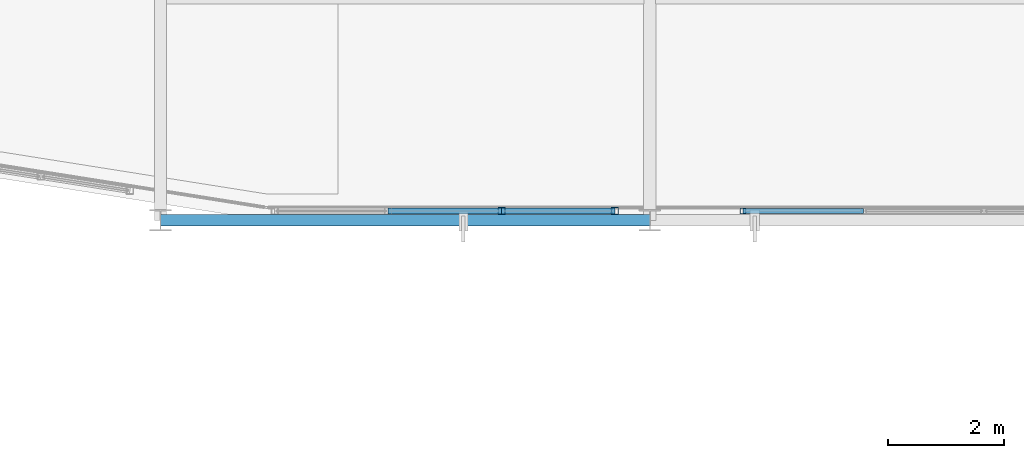
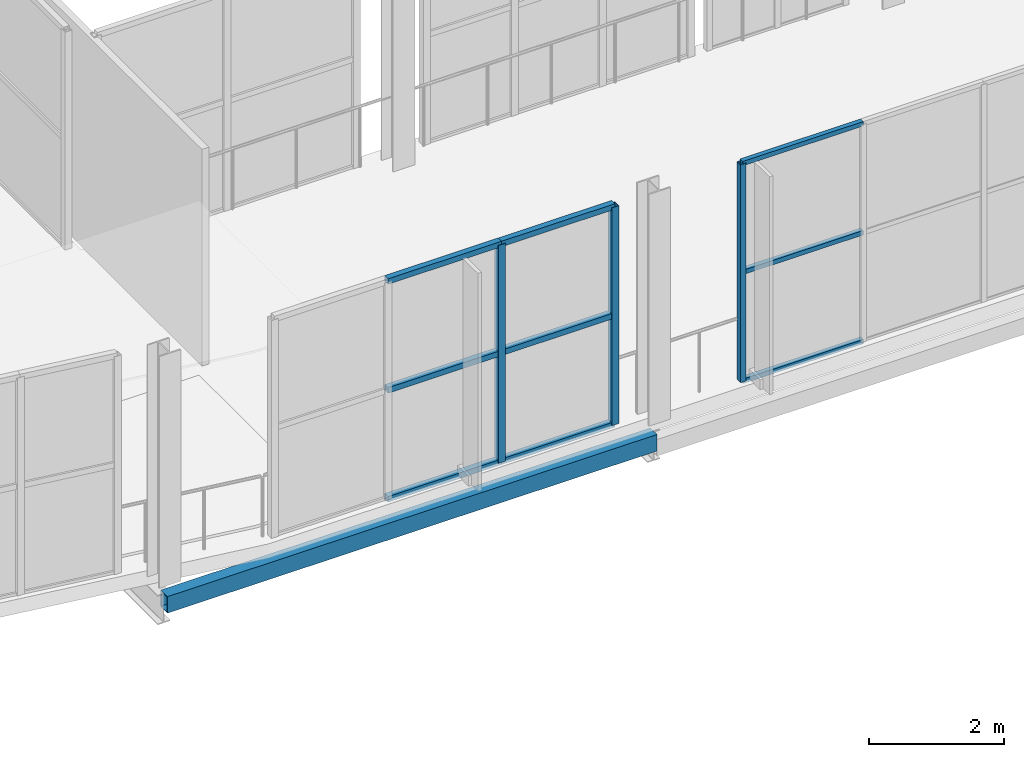
# One storey, part 17 of 217: 12 members, 1 beam, 2 elements without a shape of their own.
"""IFC4 building model written with IfcOpenShell, lengths in metres."""

import ifcopenshell
import ifcopenshell.guid

model = None  # the IFC model being written
_history = None  # IfcOwnerHistory: only IFC2X3 demands one
_inside = {}  # id of a spatial element -> (the spatial element, [elements in it])
_under = {}  # id of a project, library or spatial element -> (it, [spatial elements below it])
_declared = {}  # id of a project -> (the project, [libraries it declares])
_typed = {}  # id of a type object -> (the type object, [elements of that type])
_made_of = {}  # id of a material, layer set ... -> (it, [elements and type objects made of it])


def new_model(schema):
    """Start an empty IFC model of exactly this schema.

    Asked for "IFC4X3", IfcOpenShell would pick the latest addendum, in which some entities
    have other attributes; the version numbers below select the first issue.
    IFC2X3 requires an IfcOwnerHistory on every rooted entity: one is made here for all.
    """
    global model, _history
    if schema == "IFC4X3":
        model = ifcopenshell.file(schema_version=(4, 3, 0, 0))
    else:
        model = ifcopenshell.file(schema=schema)
    _inside.clear()
    _under.clear()
    _declared.clear()
    _typed.clear()
    _made_of.clear()
    _history = None
    if model.schema == "IFC2X3":
        org = make("IfcOrganization", Name="unknown")
        user = make(
            "IfcPersonAndOrganization",
            ThePerson=make("IfcPerson", FamilyName="unknown"),
            TheOrganization=org,
        )
        app = make(
            "IfcApplication",
            ApplicationDeveloper=org,
            Version="unknown",
            ApplicationFullName="unknown",
            ApplicationIdentifier="unknown",
        )
        _history = make(
            "IfcOwnerHistory",
            OwningUser=user,
            OwningApplication=app,
            ChangeAction="ADDED",
            CreationDate=0,
        )
    return model


def make(cls, **values):
    """One entity of the class cls with the attributes given. An attribute that is None is left unset."""
    return model.create_entity(
        cls, **{name: value for name, value in values.items() if value is not None}
    )


def rooted(cls, **values):
    """An entity with a GlobalId (a new one), such as an element, a storey or a relation."""
    return make(cls, GlobalId=ifcopenshell.guid.new(), OwnerHistory=_history, **values)


def si_unit(unit_type, name, prefix=None):
    """IfcSIUnit, for example si_unit("LENGTHUNIT", "METRE", prefix="MILLI")."""
    return make("IfcSIUnit", UnitType=unit_type, Prefix=prefix, Name=name)


def assignment(units):
    """IfcUnitAssignment: the units of a project."""
    return None if units is None else make("IfcUnitAssignment", Units=units)


def point(xyz):
    """IfcCartesianPoint."""
    return None if xyz is None else make("IfcCartesianPoint", Coordinates=xyz)


def direction(xyz):
    """IfcDirection."""
    return None if xyz is None else make("IfcDirection", DirectionRatios=xyz)


def frame(location, z_axis=None, x_axis=None):
    """IfcAxis2Placement3D, a coordinate frame: its origin and axes. An axis left out is left unset."""
    return make(
        "IfcAxis2Placement3D",
        Location=point(location),
        Axis=direction(z_axis),
        RefDirection=direction(x_axis),
    )


def frame_2d(location, x_axis=None):
    """IfcAxis2Placement2D, a coordinate frame in the plane: its origin and x axis."""
    return make(
        "IfcAxis2Placement2D", Location=point(location), RefDirection=direction(x_axis)
    )


def origin():
    """The frame at (0, 0, 0) with its axes left unset."""
    return frame((0.0, 0.0, 0.0))


def origin_2d():
    """The frame at (0, 0) in the plane with its x axis left unset."""
    return frame_2d((0.0, 0.0))


def place(relative_to, where):
    """IfcLocalPlacement: puts the frame where relative to a parent placement (None: the world)."""
    return make(
        "IfcLocalPlacement", PlacementRelTo=relative_to, RelativePlacement=where
    )


def context(
    kind, dimensions, precision=None, world=None, true_north=None, identifier=None
):
    """IfcGeometricRepresentationContext, for example the 3D "Model" context."""
    return make(
        "IfcGeometricRepresentationContext",
        ContextIdentifier=identifier,
        ContextType=kind,
        CoordinateSpaceDimension=dimensions,
        Precision=precision,
        WorldCoordinateSystem=world,
        TrueNorth=true_north,
    )


def subcontext(parent, identifier, kind, view, scale=None):
    """IfcGeometricRepresentationSubContext, for example "Body" below "Model"."""
    return make(
        "IfcGeometricRepresentationSubContext",
        ContextIdentifier=identifier,
        ContextType=kind,
        ParentContext=parent,
        TargetScale=scale,
        TargetView=view,
    )


def project(units=None, contexts=None):
    """IfcProject with its units and contexts."""
    return rooted(
        "IfcProject",
        Name="project",
        RepresentationContexts=contexts,
        UnitsInContext=assignment(units),
    )


def spatial(cls, under=None, at=None, **own):
    """A site, building, storey or space (cls), placed at a placement, below another one or the project."""
    s = rooted(cls, ObjectPlacement=at, **own)
    if under is not None:
        _under.setdefault(under.id(), (under, []))[1].append(s)
    return s


def profile(cls, at=None, kind="AREA", **sizes):
    """A parametric profile (cls). Its sizes go by their IFC names, for example OverallWidth=200.0."""
    return make(cls, ProfileType=kind, Position=at, **sizes)


def hollow_rectangle(**sizes):
    """IfcRectangleHollowProfileDef."""
    return profile("IfcRectangleHollowProfileDef", **sizes)


def extrude(swept, where, along, depth):
    """IfcExtrudedAreaSolid: the profile swept, set in the frame where, extruded along a direction by depth."""
    return make(
        "IfcExtrudedAreaSolid",
        SweptArea=swept,
        Position=where,
        ExtrudedDirection=direction(along),
        Depth=depth,
    )


def shape(context_of_items, identifier, shape_type, items):
    """IfcShapeRepresentation: the items that make up one representation, for example the "Body"."""
    return make(
        "IfcShapeRepresentation",
        ContextOfItems=context_of_items,
        RepresentationIdentifier=identifier,
        RepresentationType=shape_type,
        Items=items,
    )


def material(Name=None, Category=None):
    """IfcMaterial."""
    return make("IfcMaterial", Name=Name, Category=Category)


def material_profile(
    of_material, cross_section, Name=None, Category=None, Priority=None
):
    """IfcMaterialProfile: a cross section and its material."""
    return make(
        "IfcMaterialProfile",
        Name=Name,
        Material=of_material,
        Profile=cross_section,
        Priority=Priority,
        Category=Category,
    )


def profile_set(profiles, Name=None, composite=None):
    """IfcMaterialProfileSet."""
    return make(
        "IfcMaterialProfileSet",
        Name=Name,
        MaterialProfiles=profiles,
        CompositeProfile=composite,
    )


def made_of(thing, what):
    """Note that an element or type object is made of a material, layer set ...; save() writes the relation."""
    if what is not None:
        _made_of.setdefault(what.id(), (what, []))[1].append(thing)
    return thing


def type_object(cls, material=None, **own):
    """A type object (cls), such as IfcWallType, which elements share."""
    return made_of(rooted(cls, **own), material)


def element(
    cls,
    number,
    at=None,
    inside=None,
    cuts=None,
    type_object=None,
    material=None,
    context=None,
    identifier="Body",
    shape_type=None,
    held_by="IfcProductDefinitionShape",
    body=None,
    shapes=None,
    **own,
):
    """One element of the class cls, such as IfcWall. Its Tag is "e" and its number.

    at: its placement. inside: the storey or other place that contains it. cuts: it is an
    opening in that element (IfcRelVoidsElement). A single representation is given by context,
    identifier, shape_type and body (its items); several are given by shapes. held_by: the class
    of the entity that holds the representations. save() writes the other relations.
    """
    e = rooted(cls, Tag="e%d" % number, ObjectPlacement=at, **own)
    if body is not None:
        shapes = [shape(context, identifier, shape_type, body)]
    if shapes is not None:
        e.Representation = make(held_by, Representations=shapes)
    if inside is not None:
        _inside.setdefault(inside.id(), (inside, []))[1].append(e)
    if cuts is not None:
        rooted(
            "IfcRelVoidsElement", RelatingBuildingElement=cuts, RelatedOpeningElement=e
        )
    if type_object is not None:
        _typed.setdefault(type_object.id(), (type_object, []))[1].append(e)
    return made_of(e, material)


def aggregate(whole, parts):
    """IfcRelAggregates: a whole, such as a stair, and the parts it consists of."""
    return rooted("IfcRelAggregates", RelatingObject=whole, RelatedObjects=parts)


def save(model, path):
    """Write the relations noted so far, then the file.

    IfcRelAggregates (storeys below a building ...), IfcRelContainedInSpatialStructure (elements
    in a storey), IfcRelDefinesByType, IfcRelAssociatesMaterial and IfcRelDeclares: one each for
    every whole, place, type object, material and project.
    """
    for whole, parts in _under.values():
        aggregate(whole, parts)
    for where, things in _inside.values():
        rooted(
            "IfcRelContainedInSpatialStructure",
            RelatedElements=things,
            RelatingStructure=where,
        )
    for kind, things in _typed.values():
        rooted("IfcRelDefinesByType", RelatedObjects=things, RelatingType=kind)
    for what, things in _made_of.values():
        rooted("IfcRelAssociatesMaterial", RelatedObjects=things, RelatingMaterial=what)
    for by, libraries in _declared.values():
        rooted("IfcRelDeclares", RelatingContext=by, RelatedDefinitions=libraries)
    model.write(path)


model = new_model("IFC4")

# Units and contexts
model_context = context("Model", 3, precision=1e-05, world=origin(), true_north=direction((0.0, 1.0)))
body_context = subcontext(model_context, "Body", "Model", "MODEL_VIEW")
ifc_project = project(units=[si_unit("LENGTHUNIT", "METRE"), si_unit("AREAUNIT", "SQUARE_METRE"), si_unit("VOLUMEUNIT", "CUBIC_METRE"), si_unit("PLANEANGLEUNIT", "RADIAN"), si_unit("MASSUNIT", "GRAM", prefix="KILO")], contexts=[model_context])

# Site, building, storey
site_placement = place(None, origin())
site = spatial("IfcSite", under=ifc_project, at=site_placement, CompositionType="ELEMENT")
building_placement = place(site_placement, origin())
building = spatial("IfcBuilding", under=site, at=building_placement, Name="Zuvorla Pavilion Media Centre", CompositionType="ELEMENT")
storey_placement = place(building_placement, frame((0.0, 0.0, 9.60009765625)))
storey = spatial("IfcBuildingStorey", under=building, at=storey_placement, Name="L02", CompositionType="ELEMENT", Elevation=9.60009765625)

# Beam
ifc_material_1 = material(Name="Steel S355", Category="steel")
ifc_material_profile_1 = material_profile(ifc_material_1, hollow_rectangle(XDim=0.199951171875, YDim=0.300048828125, WallThickness=0.012451171875, at=origin_2d()), Name="RHS 300x200x12.5")
ifc_profile_set_1 = profile_set([ifc_material_profile_1], Name="Steel S355")
beam_type = type_object("IfcBeamType", Name="BM-SP-RHS300", PredefinedType="SPANDREL", material=ifc_profile_set_1)
beam_placement = place(storey_placement, frame((24.800048828125, 44.0, -0.418212890625), z_axis=(1.0, 0.0, 0.0), x_axis=(0.0, 1.0, 0.0)))
element("IfcBeam", 1, at=beam_placement, inside=storey, type_object=beam_type, Name="L02 spandrel SP01 819", PredefinedType="SPANDREL", context=body_context, shape_type="SweptSolid", body=[
    extrude(hollow_rectangle(XDim=0.199951171875, YDim=0.300048828125, WallThickness=0.012451171875, at=origin_2d()), origin(), (0.0, 0.0, 1.0), 8.39990234375),
])

# Curtain wall, member
ifc_material_2 = material(Name="Unitised anodised aluminium and solar glass curtain wall", Category="aluminium")
curtain_wall_type_1 = type_object("IfcCurtainWallType", Name="CW-SYS-20", PredefinedType="USERDEFINED", material=ifc_material_2)
curtain_wall_1_placement = place(storey_placement, origin())
curtain_wall_1 = element("IfcCurtainWall", 2, at=curtain_wall_1_placement, inside=storey, type_object=curtain_wall_type_1, Name="L02 curtain wall CW20 39", ObjectType="CURTAIN WALL", PredefinedType="USERDEFINED")
ifc_material_3 = material(Name="Anodised aluminium 6063-T6", Category="aluminium")
ifc_material_profile_2 = material_profile(ifc_material_3, hollow_rectangle(XDim=0.10009765625, YDim=0.10009765625, WallThickness=0.00439453125, at=origin_2d()), Name="ALU MULL 100x100")
ifc_profile_set_2 = profile_set([ifc_material_profile_2], Name="Anodised aluminium 6063-T6")
member_type_1 = type_object("IfcMemberType", Name="CW-MULL-100", PredefinedType="MULLION", material=ifc_profile_set_2)
member_1_placement = place(storey_placement, frame((34.800048828125, 44.159912109375, 0.0), z_axis=(0.0, 0.0, 1.0), x_axis=(1.0, 0.0, 0.0)))
member_1 = element("IfcMember", 3, at=member_1_placement, type_object=member_type_1, Name="CW20 mullion 1", PredefinedType="MULLION", context=body_context, shape_type="SweptSolid", body=[
    extrude(hollow_rectangle(XDim=0.10009765625, YDim=0.10009765625, WallThickness=0.00439453125, at=origin_2d()), origin(), (0.0, 0.0, 1.0), 3.949951171875),
])

# Curtain wall, members
curtain_wall_type_2 = type_object("IfcCurtainWallType", Name="CW-SYS-07", PredefinedType="USERDEFINED", material=ifc_material_2)
curtain_wall_2_placement = place(storey_placement, origin())
curtain_wall_2 = element("IfcCurtainWall", 4, at=curtain_wall_2_placement, inside=storey, type_object=curtain_wall_type_2, Name="L02 curtain wall CW07 38", ObjectType="CURTAIN WALL", PredefinedType="USERDEFINED")
ifc_material_profile_3 = material_profile(ifc_material_3, hollow_rectangle(XDim=0.1201171875, YDim=0.1201171875, WallThickness=0.0048828125, at=origin_2d()), Name="ALU MULL 120x120")
ifc_profile_set_3 = profile_set([ifc_material_profile_3], Name="Anodised aluminium 6063-T6")
member_type_2 = type_object("IfcMemberType", Name="CW-MULL-120", PredefinedType="MULLION", material=ifc_profile_set_3)
member_2_placement = place(storey_placement, frame((30.6533203125, 44.159912109375, 0.0), z_axis=(0.0, 0.0, 1.0), x_axis=(1.0, 0.0, 0.0)))
member_2 = element("IfcMember", 5, at=member_2_placement, type_object=member_type_2, Name="CW07 mullion 3", PredefinedType="MULLION", context=body_context, shape_type="SweptSolid", body=[
    extrude(hollow_rectangle(XDim=0.1201171875, YDim=0.1201171875, WallThickness=0.0048828125, at=origin_2d()), origin(), (0.0, 0.0, 1.0), 3.949951171875),
])
member_3_placement = place(storey_placement, frame((32.599853515625, 44.159912109375, 0.0), z_axis=(0.0, 0.0, 1.0), x_axis=(1.0, 0.0, 0.0)))
member_3 = element("IfcMember", 6, at=member_3_placement, type_object=member_type_2, Name="CW07 mullion 4", PredefinedType="MULLION", context=body_context, shape_type="SweptSolid", body=[
    extrude(hollow_rectangle(XDim=0.1201171875, YDim=0.1201171875, WallThickness=0.0048828125, at=origin_2d()), origin(), (0.0, 0.0, 1.0), 3.949951171875),
])
ifc_material_profile_4 = material_profile(ifc_material_3, hollow_rectangle(XDim=0.10009765625, YDim=0.10009765625, WallThickness=0.00439453125, at=origin_2d()), Name="ALU TRAN 100x100")
ifc_profile_set_4 = profile_set([ifc_material_profile_4], Name="Anodised aluminium 6063-T6")
member_type_3 = type_object("IfcMemberType", Name="CW-TRAN-100", PredefinedType="USERDEFINED", material=ifc_profile_set_4)
member_4_placement = place(storey_placement, frame((28.70654296875, 44.159912109375, 0.0), z_axis=(1.0, 0.0, 0.0), x_axis=(0.0, 1.0, 0.0)))
member_4 = element("IfcMember", 7, at=member_4_placement, type_object=member_type_3, Name="CW07 transom 2.1", ObjectType="TRANSOM", PredefinedType="USERDEFINED", context=body_context, shape_type="SweptSolid", body=[
    extrude(hollow_rectangle(XDim=0.10009765625, YDim=0.10009765625, WallThickness=0.00439453125, at=origin_2d()), origin(), (0.0, 0.0, 1.0), 1.94677734375),
])
member_5_placement = place(storey_placement, frame((28.70654296875, 44.159912109375, 1.974853515625), z_axis=(1.0, 0.0, 0.0), x_axis=(0.0, 1.0, 0.0)))
member_5 = element("IfcMember", 8, at=member_5_placement, type_object=member_type_3, Name="CW07 transom 2.2", ObjectType="TRANSOM", PredefinedType="USERDEFINED", context=body_context, shape_type="SweptSolid", body=[
    extrude(hollow_rectangle(XDim=0.10009765625, YDim=0.10009765625, WallThickness=0.00439453125, at=origin_2d()), origin(), (0.0, 0.0, 1.0), 1.94677734375),
])
member_6_placement = place(storey_placement, frame((28.70654296875, 44.159912109375, 3.949951171875), z_axis=(1.0, 0.0, 0.0), x_axis=(0.0, 1.0, 0.0)))
member_6 = element("IfcMember", 9, at=member_6_placement, type_object=member_type_3, Name="CW07 transom 2.3", ObjectType="TRANSOM", PredefinedType="USERDEFINED", context=body_context, shape_type="SweptSolid", body=[
    extrude(hollow_rectangle(XDim=0.10009765625, YDim=0.10009765625, WallThickness=0.00439453125, at=origin_2d()), origin(), (0.0, 0.0, 1.0), 1.94677734375),
])
member_7_placement = place(storey_placement, frame((30.6533203125, 44.159912109375, 0.0), z_axis=(1.0, 0.0, 0.0), x_axis=(0.0, 1.0, 0.0)))
member_7 = element("IfcMember", 10, at=member_7_placement, type_object=member_type_3, Name="CW07 transom 3.1", ObjectType="TRANSOM", PredefinedType="USERDEFINED", context=body_context, shape_type="SweptSolid", body=[
    extrude(hollow_rectangle(XDim=0.10009765625, YDim=0.10009765625, WallThickness=0.00439453125, at=origin_2d()), origin(), (0.0, 0.0, 1.0), 1.946533203125),
])
member_8_placement = place(storey_placement, frame((30.6533203125, 44.159912109375, 1.974853515625), z_axis=(1.0, 0.0, 0.0), x_axis=(0.0, 1.0, 0.0)))
member_8 = element("IfcMember", 11, at=member_8_placement, type_object=member_type_3, Name="CW07 transom 3.2", ObjectType="TRANSOM", PredefinedType="USERDEFINED", context=body_context, shape_type="SweptSolid", body=[
    extrude(hollow_rectangle(XDim=0.10009765625, YDim=0.10009765625, WallThickness=0.00439453125, at=origin_2d()), origin(), (0.0, 0.0, 1.0), 1.946533203125),
])
member_9_placement = place(storey_placement, frame((30.6533203125, 44.159912109375, 3.949951171875), z_axis=(1.0, 0.0, 0.0), x_axis=(0.0, 1.0, 0.0)))
member_9 = element("IfcMember", 12, at=member_9_placement, type_object=member_type_3, Name="CW07 transom 3.3", ObjectType="TRANSOM", PredefinedType="USERDEFINED", context=body_context, shape_type="SweptSolid", body=[
    extrude(hollow_rectangle(XDim=0.10009765625, YDim=0.10009765625, WallThickness=0.00439453125, at=origin_2d()), origin(), (0.0, 0.0, 1.0), 1.946533203125),
])
aggregate(curtain_wall_2, [member_2, member_3, member_4, member_5, member_6, member_7, member_8, member_9])

# Member
ifc_material_profile_5 = material_profile(ifc_material_3, hollow_rectangle(XDim=0.080078125, YDim=0.080078125, WallThickness=0.00390625, at=origin_2d()), Name="ALU TRAN 80x80")
ifc_profile_set_5 = profile_set([ifc_material_profile_5], Name="Anodised aluminium 6063-T6")
member_type_4 = type_object("IfcMemberType", Name="CW-TRAN-80", PredefinedType="USERDEFINED", material=ifc_profile_set_5)
member_10_placement = place(storey_placement, frame((34.800048828125, 44.159912109375, 0.0), z_axis=(1.0, 0.0, 0.0), x_axis=(0.0, 1.0, 0.0)))
member_10 = element("IfcMember", 13, at=member_10_placement, type_object=member_type_4, Name="CW20 transom 1.1", ObjectType="TRANSOM", PredefinedType="USERDEFINED", context=body_context, shape_type="SweptSolid", body=[
    extrude(hollow_rectangle(XDim=0.080078125, YDim=0.080078125, WallThickness=0.00390625, at=origin_2d()), origin(), (0.0, 0.0, 1.0), 2.066650390625),
])

member_11_placement = place(storey_placement, frame((34.800048828125, 44.159912109375, 1.974853515625), z_axis=(1.0, 0.0, 0.0), x_axis=(0.0, 1.0, 0.0)))
member_11 = element("IfcMember", 14, at=member_11_placement, type_object=member_type_4, Name="CW20 transom 1.2", ObjectType="TRANSOM", PredefinedType="USERDEFINED", context=body_context, shape_type="SweptSolid", body=[
    extrude(hollow_rectangle(XDim=0.080078125, YDim=0.080078125, WallThickness=0.00390625, at=origin_2d()), origin(), (0.0, 0.0, 1.0), 2.066650390625),
])

member_12_placement = place(storey_placement, frame((34.800048828125, 44.159912109375, 3.949951171875), z_axis=(1.0, 0.0, 0.0), x_axis=(0.0, 1.0, 0.0)))
member_12 = element("IfcMember", 15, at=member_12_placement, type_object=member_type_4, Name="CW20 transom 1.3", ObjectType="TRANSOM", PredefinedType="USERDEFINED", context=body_context, shape_type="SweptSolid", body=[
    extrude(hollow_rectangle(XDim=0.080078125, YDim=0.080078125, WallThickness=0.00390625, at=origin_2d()), origin(), (0.0, 0.0, 1.0), 2.066650390625),
])

aggregate(curtain_wall_1, [member_1, member_10, member_11, member_12])

save(model, "model.ifc")
